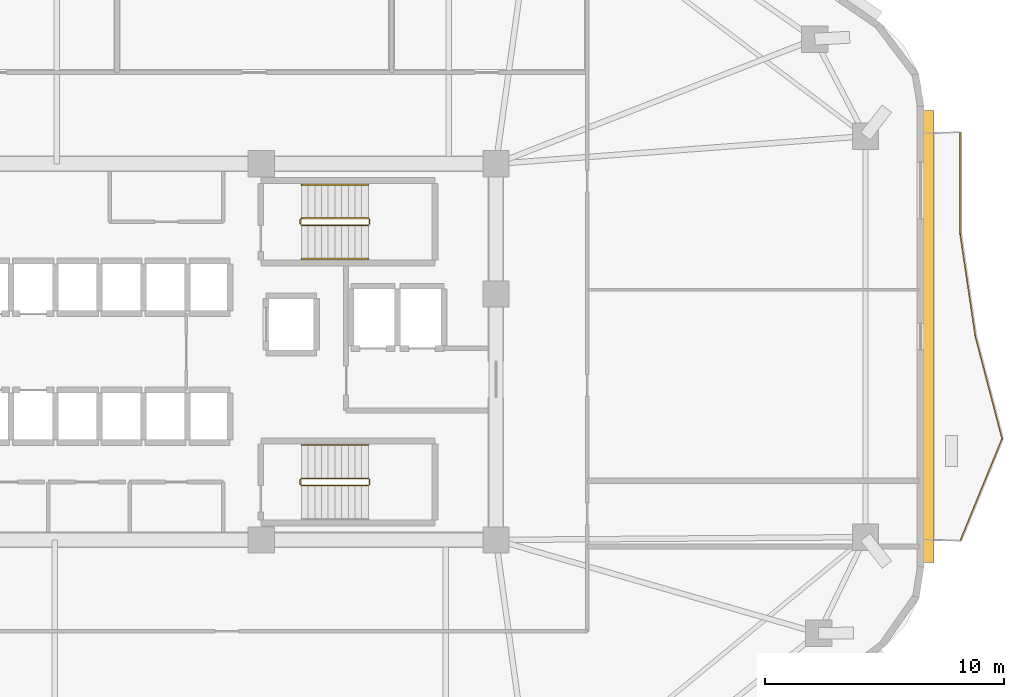
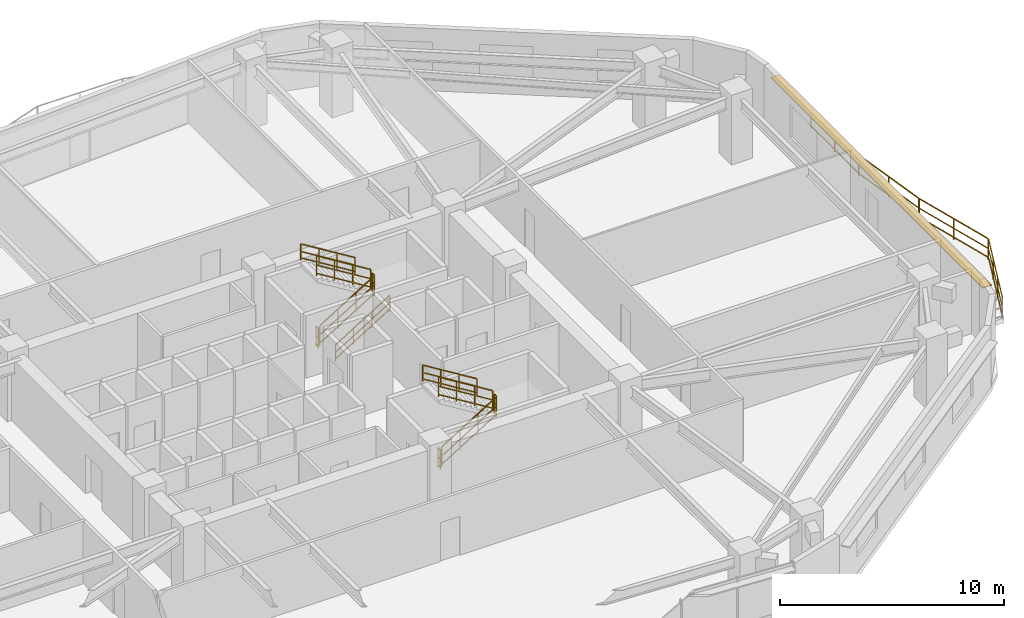
# One storey, part 11 of 12: 15 railings, 1 shading device.
"""IFC4 building model written with IfcOpenShell, lengths in metres."""

import ifcopenshell
import ifcopenshell.guid

model = None  # the IFC model being written
_history = None  # IfcOwnerHistory: only IFC2X3 demands one
_inside = {}  # id of a spatial element -> (the spatial element, [elements in it])
_under = {}  # id of a project, library or spatial element -> (it, [spatial elements below it])
_declared = {}  # id of a project -> (the project, [libraries it declares])
_typed = {}  # id of a type object -> (the type object, [elements of that type])
_made_of = {}  # id of a material, layer set ... -> (it, [elements and type objects made of it])


def new_model(schema):
    """Start an empty IFC model of exactly this schema.

    Asked for "IFC4X3", IfcOpenShell would pick the latest addendum, in which some entities
    have other attributes; the version numbers below select the first issue.
    IFC2X3 requires an IfcOwnerHistory on every rooted entity: one is made here for all.
    """
    global model, _history
    if schema == "IFC4X3":
        model = ifcopenshell.file(schema_version=(4, 3, 0, 0))
    else:
        model = ifcopenshell.file(schema=schema)
    _inside.clear()
    _under.clear()
    _declared.clear()
    _typed.clear()
    _made_of.clear()
    _history = None
    if model.schema == "IFC2X3":
        org = make("IfcOrganization", Name="unknown")
        user = make(
            "IfcPersonAndOrganization",
            ThePerson=make("IfcPerson", FamilyName="unknown"),
            TheOrganization=org,
        )
        app = make(
            "IfcApplication",
            ApplicationDeveloper=org,
            Version="unknown",
            ApplicationFullName="unknown",
            ApplicationIdentifier="unknown",
        )
        _history = make(
            "IfcOwnerHistory",
            OwningUser=user,
            OwningApplication=app,
            ChangeAction="ADDED",
            CreationDate=0,
        )
    return model


def make(cls, **values):
    """One entity of the class cls with the attributes given. An attribute that is None is left unset."""
    return model.create_entity(
        cls, **{name: value for name, value in values.items() if value is not None}
    )


def rooted(cls, **values):
    """An entity with a GlobalId (a new one), such as an element, a storey or a relation."""
    return make(cls, GlobalId=ifcopenshell.guid.new(), OwnerHistory=_history, **values)


def si_unit(unit_type, name, prefix=None):
    """IfcSIUnit, for example si_unit("LENGTHUNIT", "METRE", prefix="MILLI")."""
    return make("IfcSIUnit", UnitType=unit_type, Prefix=prefix, Name=name)


def assignment(units):
    """IfcUnitAssignment: the units of a project."""
    return None if units is None else make("IfcUnitAssignment", Units=units)


def point(xyz):
    """IfcCartesianPoint."""
    return None if xyz is None else make("IfcCartesianPoint", Coordinates=xyz)


def direction(xyz):
    """IfcDirection."""
    return None if xyz is None else make("IfcDirection", DirectionRatios=xyz)


def frame(location, z_axis=None, x_axis=None):
    """IfcAxis2Placement3D, a coordinate frame: its origin and axes. An axis left out is left unset."""
    return make(
        "IfcAxis2Placement3D",
        Location=point(location),
        Axis=direction(z_axis),
        RefDirection=direction(x_axis),
    )


def frame_2d(location, x_axis=None):
    """IfcAxis2Placement2D, a coordinate frame in the plane: its origin and x axis."""
    return make(
        "IfcAxis2Placement2D", Location=point(location), RefDirection=direction(x_axis)
    )


def origin():
    """The frame at (0, 0, 0) with its axes left unset."""
    return frame((0.0, 0.0, 0.0))


def origin_2d():
    """The frame at (0, 0) in the plane with its x axis left unset."""
    return frame_2d((0.0, 0.0))


def place(relative_to, where):
    """IfcLocalPlacement: puts the frame where relative to a parent placement (None: the world)."""
    return make(
        "IfcLocalPlacement", PlacementRelTo=relative_to, RelativePlacement=where
    )


def context(
    kind, dimensions, precision=None, world=None, true_north=None, identifier=None
):
    """IfcGeometricRepresentationContext, for example the 3D "Model" context."""
    return make(
        "IfcGeometricRepresentationContext",
        ContextIdentifier=identifier,
        ContextType=kind,
        CoordinateSpaceDimension=dimensions,
        Precision=precision,
        WorldCoordinateSystem=world,
        TrueNorth=true_north,
    )


def subcontext(parent, identifier, kind, view, scale=None):
    """IfcGeometricRepresentationSubContext, for example "Body" below "Model"."""
    return make(
        "IfcGeometricRepresentationSubContext",
        ContextIdentifier=identifier,
        ContextType=kind,
        ParentContext=parent,
        TargetScale=scale,
        TargetView=view,
    )


def project(units=None, contexts=None):
    """IfcProject with its units and contexts."""
    return rooted(
        "IfcProject",
        Name="project",
        RepresentationContexts=contexts,
        UnitsInContext=assignment(units),
    )


def spatial(cls, under=None, at=None, **own):
    """A site, building, storey or space (cls), placed at a placement, below another one or the project."""
    s = rooted(cls, ObjectPlacement=at, **own)
    if under is not None:
        _under.setdefault(under.id(), (under, []))[1].append(s)
    return s


def profile(cls, at=None, kind="AREA", **sizes):
    """A parametric profile (cls). Its sizes go by their IFC names, for example OverallWidth=200.0."""
    return make(cls, ProfileType=kind, Position=at, **sizes)


def rectangle(**sizes):
    """IfcRectangleProfileDef."""
    return profile("IfcRectangleProfileDef", **sizes)


def extrude(swept, where, along, depth):
    """IfcExtrudedAreaSolid: the profile swept, set in the frame where, extruded along a direction by depth."""
    return make(
        "IfcExtrudedAreaSolid",
        SweptArea=swept,
        Position=where,
        ExtrudedDirection=direction(along),
        Depth=depth,
    )


def shape(context_of_items, identifier, shape_type, items):
    """IfcShapeRepresentation: the items that make up one representation, for example the "Body"."""
    return make(
        "IfcShapeRepresentation",
        ContextOfItems=context_of_items,
        RepresentationIdentifier=identifier,
        RepresentationType=shape_type,
        Items=items,
    )


def material(Name=None, Category=None):
    """IfcMaterial."""
    return make("IfcMaterial", Name=Name, Category=Category)


def layer(
    of_material, thickness, ventilated=None, Name=None, Category=None, Priority=None
):
    """IfcMaterialLayer: one layer of a wall or slab, of a material (None: an air gap)."""
    return make(
        "IfcMaterialLayer",
        Material=of_material,
        LayerThickness=thickness,
        IsVentilated=ventilated,
        Name=Name,
        Category=Category,
        Priority=Priority,
    )


def layer_set(layers, Name=None):
    """IfcMaterialLayerSet."""
    return make("IfcMaterialLayerSet", MaterialLayers=layers, LayerSetName=Name)


def made_of(thing, what):
    """Note that an element or type object is made of a material, layer set ...; save() writes the relation."""
    if what is not None:
        _made_of.setdefault(what.id(), (what, []))[1].append(thing)
    return thing


def type_object(cls, material=None, **own):
    """A type object (cls), such as IfcWallType, which elements share."""
    return made_of(rooted(cls, **own), material)


def element(
    cls,
    number,
    at=None,
    inside=None,
    cuts=None,
    type_object=None,
    material=None,
    context=None,
    identifier="Body",
    shape_type=None,
    held_by="IfcProductDefinitionShape",
    body=None,
    shapes=None,
    **own,
):
    """One element of the class cls, such as IfcWall. Its Tag is "e" and its number.

    at: its placement. inside: the storey or other place that contains it. cuts: it is an
    opening in that element (IfcRelVoidsElement). A single representation is given by context,
    identifier, shape_type and body (its items); several are given by shapes. held_by: the class
    of the entity that holds the representations. save() writes the other relations.
    """
    e = rooted(cls, Tag="e%d" % number, ObjectPlacement=at, **own)
    if body is not None:
        shapes = [shape(context, identifier, shape_type, body)]
    if shapes is not None:
        e.Representation = make(held_by, Representations=shapes)
    if inside is not None:
        _inside.setdefault(inside.id(), (inside, []))[1].append(e)
    if cuts is not None:
        rooted(
            "IfcRelVoidsElement", RelatingBuildingElement=cuts, RelatedOpeningElement=e
        )
    if type_object is not None:
        _typed.setdefault(type_object.id(), (type_object, []))[1].append(e)
    return made_of(e, material)


def aggregate(whole, parts):
    """IfcRelAggregates: a whole, such as a stair, and the parts it consists of."""
    return rooted("IfcRelAggregates", RelatingObject=whole, RelatedObjects=parts)


def save(model, path):
    """Write the relations noted so far, then the file.

    IfcRelAggregates (storeys below a building ...), IfcRelContainedInSpatialStructure (elements
    in a storey), IfcRelDefinesByType, IfcRelAssociatesMaterial and IfcRelDeclares: one each for
    every whole, place, type object, material and project.
    """
    for whole, parts in _under.values():
        aggregate(whole, parts)
    for where, things in _inside.values():
        rooted(
            "IfcRelContainedInSpatialStructure",
            RelatedElements=things,
            RelatingStructure=where,
        )
    for kind, things in _typed.values():
        rooted("IfcRelDefinesByType", RelatedObjects=things, RelatingType=kind)
    for what, things in _made_of.values():
        rooted("IfcRelAssociatesMaterial", RelatedObjects=things, RelatingMaterial=what)
    for by, libraries in _declared.values():
        rooted("IfcRelDeclares", RelatingContext=by, RelatedDefinitions=libraries)
    model.write(path)


model = new_model("IFC4")

# Units and contexts
model_context = context("Model", 3, precision=1e-05, world=origin(), true_north=direction((0.0, 1.0)))
body_context = subcontext(model_context, "Body", "Model", "MODEL_VIEW")
ifc_project = project(units=[si_unit("LENGTHUNIT", "METRE"), si_unit("AREAUNIT", "SQUARE_METRE"), si_unit("VOLUMEUNIT", "CUBIC_METRE"), si_unit("PLANEANGLEUNIT", "RADIAN"), si_unit("MASSUNIT", "GRAM", prefix="KILO")], contexts=[model_context])

# Site, building, storey
site_placement = place(None, origin())
site = spatial("IfcSite", under=ifc_project, at=site_placement, CompositionType="ELEMENT")
building_placement = place(site_placement, origin())
building = spatial("IfcBuilding", under=site, at=building_placement, Name="Zulverin Broadcast Headquarters", CompositionType="ELEMENT")
storey_placement = place(building_placement, frame((0.0, 0.0, 116.199951171875)))
storey = spatial("IfcBuildingStorey", under=building, at=storey_placement, Name="L29", CompositionType="ELEMENT", Elevation=116.199951171875)

# Railings
ifc_material_1 = material(Name="Brushed stainless steel & laminated glass balustrade", Category="steel")
railing_type_1 = type_object("IfcRailingType", Name="RL-GUARD-1150", PredefinedType="GUARDRAIL", material=ifc_material_1)
railing_1_placement = place(storey_placement, frame((67.7255859375, 17.29736328125, 0.0)))
element("IfcRailing", 1, at=railing_1_placement, inside=storey, type_object=railing_type_1, Name="L29 Vertical-Forest Balcony Guardrail BAL_E Segment 02", PredefinedType="GUARDRAIL", context=body_context, shape_type="SweptSolid", body=[
    extrude(rectangle(XDim=0.048095703125, YDim=0.048095703125, at=origin_2d()), frame((0.0, 0.0, 1.1259765625), z_axis=(0.379013239476, 0.925391249311, 0.0), x_axis=(-0.925391249311, 0.379013239476, 0.0)), (0.0, 0.0, 1.0), 4.597900390625),
    extrude(rectangle(XDim=0.0419921875, YDim=0.0419921875, at=origin_2d()), frame((0.0, 0.0, 0.597900390625), z_axis=(0.379013239476, 0.925391249311, 0.0), x_axis=(-0.925391249311, 0.379013239476, 0.0)), (0.0, 0.0, 1.0), 4.597900390625),
    extrude(rectangle(XDim=0.0419921875, YDim=0.0419921875, at=origin_2d()), frame((0.0, 0.0, 0.1201171875), z_axis=(0.379013239476, 0.925391249311, 0.0), x_axis=(-0.925391249311, 0.379013239476, 0.0)), (0.0, 0.0, 1.0), 4.597900390625),
    extrude(rectangle(XDim=0.0419921875, YDim=0.0419921875, at=origin_2d()), origin(), (0.0, 0.0, 1.0), 1.101806640625),
    extrude(rectangle(XDim=0.0419921875, YDim=0.0419921875, at=origin_2d()), frame((0.580810546875, 1.418212890625, 0.0)), (0.0, 0.0, 1.0), 1.101806640625),
    extrude(rectangle(XDim=0.0419921875, YDim=0.0419921875, at=origin_2d()), frame((1.161865234375, 2.836669921875, 0.0)), (0.0, 0.0, 1.0), 1.101806640625),
    extrude(rectangle(XDim=0.0419921875, YDim=0.0419921875, at=origin_2d()), frame((1.74267578125, 4.2548828125, 0.0)), (0.0, 0.0, 1.0), 1.101806640625),
])
railing_2_placement = place(storey_placement, frame((69.47021484375, 21.580810546875, 0.0)))
element("IfcRailing", 2, at=railing_2_placement, inside=storey, type_object=railing_type_1, Name="L29 Vertical-Forest Balcony Guardrail BAL_E Segment 03", PredefinedType="GUARDRAIL", context=body_context, shape_type="SweptSolid", body=[
    extrude(rectangle(XDim=0.048095703125, YDim=0.048095703125, at=origin_2d()), frame((0.0, 0.0, 1.1259765625), z_axis=(-0.252623091007, 0.9675647647, 0.0), x_axis=(-0.9675647647, -0.252623091007, 0.0)), (0.0, 0.0, 1.0), 4.396240234375),
    extrude(rectangle(XDim=0.0419921875, YDim=0.0419921875, at=origin_2d()), frame((0.0, 0.0, 0.597900390625), z_axis=(-0.252623091007, 0.9675647647, 0.0), x_axis=(-0.9675647647, -0.252623091007, 0.0)), (0.0, 0.0, 1.0), 4.396240234375),
    extrude(rectangle(XDim=0.0419921875, YDim=0.0419921875, at=origin_2d()), frame((0.0, 0.0, 0.1201171875), z_axis=(-0.252623091007, 0.9675647647, 0.0), x_axis=(-0.9675647647, -0.252623091007, 0.0)), (0.0, 0.0, 1.0), 4.396240234375),
    extrude(rectangle(XDim=0.0419921875, YDim=0.0419921875, at=origin_2d()), origin(), (0.0, 0.0, 1.0), 1.101806640625),
    extrude(rectangle(XDim=0.0419921875, YDim=0.0419921875, at=origin_2d()), frame((-0.55517578125, 2.126953125, 0.0)), (0.0, 0.0, 1.0), 1.101806640625),
    extrude(rectangle(XDim=0.0419921875, YDim=0.0419921875, at=origin_2d()), frame((-1.110595703125, 4.253662109375, 0.0)), (0.0, 0.0, 1.0), 1.101806640625),
])
railing_3_placement = place(storey_placement, frame((68.353515625, 25.86376953125, 0.0)))
element("IfcRailing", 3, at=railing_3_placement, inside=storey, type_object=railing_type_1, Name="L29 Vertical-Forest Balcony Guardrail BAL_E Segment 04", PredefinedType="GUARDRAIL", context=body_context, shape_type="SweptSolid", body=[
    extrude(rectangle(XDim=0.048095703125, YDim=0.048095703125, at=origin_2d()), frame((0.0, 0.0, 1.1259765625), z_axis=(-0.146832630396, 0.989161351171, 0.0), x_axis=(-0.989161351171, -0.146832630396, 0.0)), (0.0, 0.0, 1.0), 4.2998046875),
    extrude(rectangle(XDim=0.0419921875, YDim=0.0419921875, at=origin_2d()), frame((0.0, 0.0, 0.597900390625), z_axis=(-0.146832630396, 0.989161351171, 0.0), x_axis=(-0.989161351171, -0.146832630396, 0.0)), (0.0, 0.0, 1.0), 4.2998046875),
    extrude(rectangle(XDim=0.0419921875, YDim=0.0419921875, at=origin_2d()), frame((0.0, 0.0, 0.1201171875), z_axis=(-0.146832630396, 0.989161351171, 0.0), x_axis=(-0.989161351171, -0.146832630396, 0.0)), (0.0, 0.0, 1.0), 4.2998046875),
    extrude(rectangle(XDim=0.0419921875, YDim=0.0419921875, at=origin_2d()), origin(), (0.0, 0.0, 1.0), 1.101806640625),
    extrude(rectangle(XDim=0.0419921875, YDim=0.0419921875, at=origin_2d()), frame((-0.315673828125, 2.12646484375, 0.0)), (0.0, 0.0, 1.0), 1.101806640625),
    extrude(rectangle(XDim=0.0419921875, YDim=0.0419921875, at=origin_2d()), frame((-0.63134765625, 4.253173828125, 0.0)), (0.0, 0.0, 1.0), 1.101806640625),
])
railing_4_placement = place(storey_placement, frame((67.719970703125, 30.146728515625, 0.0)))
element("IfcRailing", 4, at=railing_4_placement, inside=storey, type_object=railing_type_1, Name="L29 Vertical-Forest Balcony Guardrail BAL_E Segment 05", PredefinedType="GUARDRAIL", context=body_context, shape_type="SweptSolid", body=[
    extrude(rectangle(XDim=0.048095703125, YDim=0.048095703125, at=origin_2d()), frame((0.0, 0.0, 1.1259765625), z_axis=(0.0, 1.0, 0.0), x_axis=(-1.0, 0.0, 0.0)), (0.0, 0.0, 1.0), 4.252685546875),
    extrude(rectangle(XDim=0.0419921875, YDim=0.0419921875, at=origin_2d()), frame((0.0, 0.0, 0.597900390625), z_axis=(0.0, 1.0, 0.0), x_axis=(-1.0, 0.0, 0.0)), (0.0, 0.0, 1.0), 4.252685546875),
    extrude(rectangle(XDim=0.0419921875, YDim=0.0419921875, at=origin_2d()), frame((0.0, 0.0, 0.1201171875), z_axis=(0.0, 1.0, 0.0), x_axis=(-1.0, 0.0, 0.0)), (0.0, 0.0, 1.0), 4.252685546875),
    extrude(rectangle(XDim=0.0419921875, YDim=0.0419921875, at=origin_2d()), origin(), (0.0, 0.0, 1.0), 1.101806640625),
    extrude(rectangle(XDim=0.0419921875, YDim=0.0419921875, at=origin_2d()), frame((0.0, 2.12646484375, 0.0)), (0.0, 0.0, 1.0), 1.101806640625),
    extrude(rectangle(XDim=0.0419921875, YDim=0.0419921875, at=origin_2d()), frame((0.0, 4.252685546875, 0.0)), (0.0, 0.0, 1.0), 1.101806640625),
])
ifc_material_2 = material(Name="Painted galvanized steel tubular guardrail S355JR", Category="steel")
railing_type_2 = type_object("IfcRailingType", Name="RL-ST-GUARD", PredefinedType="GUARDRAIL", material=ifc_material_2)
railing_5_placement = place(storey_placement, frame((40.1298828125, 30.5, 0.1728515625)))
element("IfcRailing", 5, at=railing_5_placement, inside=storey, type_object=railing_type_2, Name="L29 ST-1 stair guard 1", PredefinedType="GUARDRAIL", context=body_context, shape_type="SweptSolid", body=[
    extrude(rectangle(XDim=0.048095703125, YDim=0.048095703125, at=origin_2d()), frame((0.0, 0.0, 1.076171875), z_axis=(0.851089632645, 0.0, 0.525020415988), x_axis=(0.0, 1.0, 0.0)), (0.0, 0.0, 1.0), 3.2900390625),
    extrude(rectangle(XDim=0.0419921875, YDim=0.0419921875, at=origin_2d()), frame((0.0, 0.0, 0.572021484375), z_axis=(0.851089632645, 0.0, 0.525020415988), x_axis=(0.0, 1.0, 0.0)), (0.0, 0.0, 1.0), 3.2900390625),
    extrude(rectangle(XDim=0.0419921875, YDim=0.0419921875, at=origin_2d()), frame((0.0, 0.0, 0.1201171875), z_axis=(0.851089632645, 0.0, 0.525020415988), x_axis=(0.0, 1.0, 0.0)), (0.0, 0.0, 1.0), 3.2900390625),
    extrude(rectangle(XDim=0.0419921875, YDim=0.0419921875, at=origin_2d()), origin(), (0.0, 0.0, 1.0), 1.052001953125),
    extrude(rectangle(XDim=0.0419921875, YDim=0.0419921875, at=origin_2d()), frame((0.933349609375, 0.0, 0.57568359375)), (0.0, 0.0, 1.0), 1.052001953125),
    extrude(rectangle(XDim=0.0419921875, YDim=0.0419921875, at=origin_2d()), frame((1.86669921875, 0.0, 1.151611328125)), (0.0, 0.0, 1.0), 1.052001953125),
    extrude(rectangle(XDim=0.0419921875, YDim=0.0419921875, at=origin_2d()), frame((2.800048828125, 0.0, 1.727294921875)), (0.0, 0.0, 1.0), 1.052001953125),
])
railing_6_placement = place(storey_placement, frame((42.97998046875, 30.550048828125, 1.900146484375)))
element("IfcRailing", 6, at=railing_6_placement, inside=storey, type_object=railing_type_2, Name="L29 ST-1 stair guard 2", PredefinedType="GUARDRAIL", context=body_context, shape_type="SweptSolid", body=[
    extrude(rectangle(XDim=0.048095703125, YDim=0.048095703125, at=origin_2d()), frame((0.0, 0.0, 1.076171875), z_axis=(0.0, 1.0, 0.0), x_axis=(-1.0, 0.0, 0.0)), (0.0, 0.0, 1.0), 0.199951171875),
    extrude(rectangle(XDim=0.0419921875, YDim=0.0419921875, at=origin_2d()), frame((0.0, 0.0, 0.572021484375), z_axis=(0.0, 1.0, 0.0), x_axis=(-1.0, 0.0, 0.0)), (0.0, 0.0, 1.0), 0.199951171875),
    extrude(rectangle(XDim=0.0419921875, YDim=0.0419921875, at=origin_2d()), frame((0.0, 0.0, 0.1201171875), z_axis=(0.0, 1.0, 0.0), x_axis=(-1.0, 0.0, 0.0)), (0.0, 0.0, 1.0), 0.199951171875),
    extrude(rectangle(XDim=0.0419921875, YDim=0.0419921875, at=origin_2d()), origin(), (0.0, 0.0, 1.0), 1.052001953125),
    extrude(rectangle(XDim=0.0419921875, YDim=0.0419921875, at=origin_2d()), frame((0.0, 0.199951171875, 0.0)), (0.0, 0.0, 1.0), 1.052001953125),
])
railing_7_placement = place(storey_placement, frame((42.929931640625, 30.800048828125, 2.07275390625)))
element("IfcRailing", 7, at=railing_7_placement, inside=storey, type_object=railing_type_2, Name="L29 ST-1 stair guard 3", PredefinedType="GUARDRAIL", context=body_context, shape_type="SweptSolid", body=[
    extrude(rectangle(XDim=0.048095703125, YDim=0.048095703125, at=origin_2d()), frame((0.0, 0.0, 1.076171875), z_axis=(-0.851089632645, 0.0, 0.525020415988), x_axis=(0.0, -1.0, 0.0)), (0.0, 0.0, 1.0), 3.2900390625),
    extrude(rectangle(XDim=0.0419921875, YDim=0.0419921875, at=origin_2d()), frame((0.0, 0.0, 0.572021484375), z_axis=(-0.851089632645, 0.0, 0.525020415988), x_axis=(0.0, -1.0, 0.0)), (0.0, 0.0, 1.0), 3.2900390625),
    extrude(rectangle(XDim=0.0419921875, YDim=0.0419921875, at=origin_2d()), frame((0.0, 0.0, 0.1201171875), z_axis=(-0.851089632645, 0.0, 0.525020415988), x_axis=(0.0, -1.0, 0.0)), (0.0, 0.0, 1.0), 3.2900390625),
    extrude(rectangle(XDim=0.0419921875, YDim=0.0419921875, at=origin_2d()), origin(), (0.0, 0.0, 1.0), 1.052001953125),
    extrude(rectangle(XDim=0.0419921875, YDim=0.0419921875, at=origin_2d()), frame((-0.933349609375, 0.0, 0.57568359375)), (0.0, 0.0, 1.0), 1.052001953125),
    extrude(rectangle(XDim=0.0419921875, YDim=0.0419921875, at=origin_2d()), frame((-1.86669921875, 0.0, 1.151611328125)), (0.0, 0.0, 1.0), 1.052001953125),
    extrude(rectangle(XDim=0.0419921875, YDim=0.0419921875, at=origin_2d()), frame((-2.800048828125, 0.0, 1.727294921875)), (0.0, 0.0, 1.0), 1.052001953125),
])
railing_8_placement = place(storey_placement, frame((40.080078125, 30.550048828125, 0.0)))
element("IfcRailing", 8, at=railing_8_placement, inside=storey, type_object=railing_type_2, Name="L29 ST-1 stair guard 4", PredefinedType="GUARDRAIL", context=body_context, shape_type="SweptSolid", body=[
    extrude(rectangle(XDim=0.048095703125, YDim=0.048095703125, at=origin_2d()), frame((0.0, 0.0, 1.076171875), z_axis=(0.0, 1.0, 0.0), x_axis=(-1.0, 0.0, 0.0)), (0.0, 0.0, 1.0), 0.199951171875),
    extrude(rectangle(XDim=0.0419921875, YDim=0.0419921875, at=origin_2d()), frame((0.0, 0.0, 0.572021484375), z_axis=(0.0, 1.0, 0.0), x_axis=(-1.0, 0.0, 0.0)), (0.0, 0.0, 1.0), 0.199951171875),
    extrude(rectangle(XDim=0.0419921875, YDim=0.0419921875, at=origin_2d()), frame((0.0, 0.0, 0.1201171875), z_axis=(0.0, 1.0, 0.0), x_axis=(-1.0, 0.0, 0.0)), (0.0, 0.0, 1.0), 0.199951171875),
    extrude(rectangle(XDim=0.0419921875, YDim=0.0419921875, at=origin_2d()), origin(), (0.0, 0.0, 1.0), 1.052001953125),
    extrude(rectangle(XDim=0.0419921875, YDim=0.0419921875, at=origin_2d()), frame((0.0, 0.199951171875, 0.0)), (0.0, 0.0, 1.0), 1.052001953125),
])
railing_9_placement = place(storey_placement, frame((40.1298828125, 19.60009765625, 0.1728515625)))
element("IfcRailing", 9, at=railing_9_placement, inside=storey, type_object=railing_type_2, Name="L29 ST-2 stair guard 1", PredefinedType="GUARDRAIL", context=body_context, shape_type="SweptSolid", body=[
    extrude(rectangle(XDim=0.048095703125, YDim=0.048095703125, at=origin_2d()), frame((0.0, 0.0, 1.076171875), z_axis=(0.851089632645, 0.0, 0.525020415988), x_axis=(0.0, 1.0, 0.0)), (0.0, 0.0, 1.0), 3.2900390625),
    extrude(rectangle(XDim=0.0419921875, YDim=0.0419921875, at=origin_2d()), frame((0.0, 0.0, 0.572021484375), z_axis=(0.851089632645, 0.0, 0.525020415988), x_axis=(0.0, 1.0, 0.0)), (0.0, 0.0, 1.0), 3.2900390625),
    extrude(rectangle(XDim=0.0419921875, YDim=0.0419921875, at=origin_2d()), frame((0.0, 0.0, 0.1201171875), z_axis=(0.851089632645, 0.0, 0.525020415988), x_axis=(0.0, 1.0, 0.0)), (0.0, 0.0, 1.0), 3.2900390625),
    extrude(rectangle(XDim=0.0419921875, YDim=0.0419921875, at=origin_2d()), origin(), (0.0, 0.0, 1.0), 1.052001953125),
    extrude(rectangle(XDim=0.0419921875, YDim=0.0419921875, at=origin_2d()), frame((0.933349609375, 0.0, 0.57568359375)), (0.0, 0.0, 1.0), 1.052001953125),
    extrude(rectangle(XDim=0.0419921875, YDim=0.0419921875, at=origin_2d()), frame((1.86669921875, 0.0, 1.151611328125)), (0.0, 0.0, 1.0), 1.052001953125),
    extrude(rectangle(XDim=0.0419921875, YDim=0.0419921875, at=origin_2d()), frame((2.800048828125, 0.0, 1.727294921875)), (0.0, 0.0, 1.0), 1.052001953125),
])
railing_10_placement = place(storey_placement, frame((42.97998046875, 19.64990234375, 1.900146484375)))
element("IfcRailing", 10, at=railing_10_placement, inside=storey, type_object=railing_type_2, Name="L29 ST-2 stair guard 2", PredefinedType="GUARDRAIL", context=body_context, shape_type="SweptSolid", body=[
    extrude(rectangle(XDim=0.048095703125, YDim=0.048095703125, at=origin_2d()), frame((0.0, 0.0, 1.076171875), z_axis=(0.0, 1.0, 0.0), x_axis=(-1.0, 0.0, 0.0)), (0.0, 0.0, 1.0), 0.2001953125),
    extrude(rectangle(XDim=0.0419921875, YDim=0.0419921875, at=origin_2d()), frame((0.0, 0.0, 0.572021484375), z_axis=(0.0, 1.0, 0.0), x_axis=(-1.0, 0.0, 0.0)), (0.0, 0.0, 1.0), 0.2001953125),
    extrude(rectangle(XDim=0.0419921875, YDim=0.0419921875, at=origin_2d()), frame((0.0, 0.0, 0.1201171875), z_axis=(0.0, 1.0, 0.0), x_axis=(-1.0, 0.0, 0.0)), (0.0, 0.0, 1.0), 0.2001953125),
    extrude(rectangle(XDim=0.0419921875, YDim=0.0419921875, at=origin_2d()), origin(), (0.0, 0.0, 1.0), 1.052001953125),
    extrude(rectangle(XDim=0.0419921875, YDim=0.0419921875, at=origin_2d()), frame((0.0, 0.2001953125, 0.0)), (0.0, 0.0, 1.0), 1.052001953125),
])
railing_11_placement = place(storey_placement, frame((42.929931640625, 19.89990234375, 2.07275390625)))
element("IfcRailing", 11, at=railing_11_placement, inside=storey, type_object=railing_type_2, Name="L29 ST-2 stair guard 3", PredefinedType="GUARDRAIL", context=body_context, shape_type="SweptSolid", body=[
    extrude(rectangle(XDim=0.048095703125, YDim=0.048095703125, at=origin_2d()), frame((0.0, 0.0, 1.076171875), z_axis=(-0.851089632645, 0.0, 0.525020415988), x_axis=(0.0, -1.0, 0.0)), (0.0, 0.0, 1.0), 3.2900390625),
    extrude(rectangle(XDim=0.0419921875, YDim=0.0419921875, at=origin_2d()), frame((0.0, 0.0, 0.572021484375), z_axis=(-0.851089632645, 0.0, 0.525020415988), x_axis=(0.0, -1.0, 0.0)), (0.0, 0.0, 1.0), 3.2900390625),
    extrude(rectangle(XDim=0.0419921875, YDim=0.0419921875, at=origin_2d()), frame((0.0, 0.0, 0.1201171875), z_axis=(-0.851089632645, 0.0, 0.525020415988), x_axis=(0.0, -1.0, 0.0)), (0.0, 0.0, 1.0), 3.2900390625),
    extrude(rectangle(XDim=0.0419921875, YDim=0.0419921875, at=origin_2d()), origin(), (0.0, 0.0, 1.0), 1.052001953125),
    extrude(rectangle(XDim=0.0419921875, YDim=0.0419921875, at=origin_2d()), frame((-0.933349609375, 0.0, 0.57568359375)), (0.0, 0.0, 1.0), 1.052001953125),
    extrude(rectangle(XDim=0.0419921875, YDim=0.0419921875, at=origin_2d()), frame((-1.86669921875, 0.0, 1.151611328125)), (0.0, 0.0, 1.0), 1.052001953125),
    extrude(rectangle(XDim=0.0419921875, YDim=0.0419921875, at=origin_2d()), frame((-2.800048828125, 0.0, 1.727294921875)), (0.0, 0.0, 1.0), 1.052001953125),
])
railing_12_placement = place(storey_placement, frame((40.080078125, 19.64990234375, 0.0)))
element("IfcRailing", 12, at=railing_12_placement, inside=storey, type_object=railing_type_2, Name="L29 ST-2 stair guard 4", PredefinedType="GUARDRAIL", context=body_context, shape_type="SweptSolid", body=[
    extrude(rectangle(XDim=0.048095703125, YDim=0.048095703125, at=origin_2d()), frame((0.0, 0.0, 1.076171875), z_axis=(0.0, 1.0, 0.0), x_axis=(-1.0, 0.0, 0.0)), (0.0, 0.0, 1.0), 0.2001953125),
    extrude(rectangle(XDim=0.0419921875, YDim=0.0419921875, at=origin_2d()), frame((0.0, 0.0, 0.572021484375), z_axis=(0.0, 1.0, 0.0), x_axis=(-1.0, 0.0, 0.0)), (0.0, 0.0, 1.0), 0.2001953125),
    extrude(rectangle(XDim=0.0419921875, YDim=0.0419921875, at=origin_2d()), frame((0.0, 0.0, 0.1201171875), z_axis=(0.0, 1.0, 0.0), x_axis=(-1.0, 0.0, 0.0)), (0.0, 0.0, 1.0), 0.2001953125),
    extrude(rectangle(XDim=0.0419921875, YDim=0.0419921875, at=origin_2d()), origin(), (0.0, 0.0, 1.0), 1.052001953125),
    extrude(rectangle(XDim=0.0419921875, YDim=0.0419921875, at=origin_2d()), frame((0.0, 0.2001953125, 0.0)), (0.0, 0.0, 1.0), 1.052001953125),
])
ifc_material_3 = material(Name="Brushed stainless steel 48 mm handrail", Category="steel")
railing_type_3 = type_object("IfcRailingType", Name="RL-ST-HAND", PredefinedType="HANDRAIL", material=ifc_material_3)
railing_13_placement = place(storey_placement, frame((40.1298828125, 29.10009765625, 0.1728515625)))
element("IfcRailing", 13, at=railing_13_placement, inside=storey, type_object=railing_type_3, Name="L29 ST-1 stair handrail 1", PredefinedType="HANDRAIL", context=body_context, shape_type="SweptSolid", body=[
    extrude(rectangle(XDim=0.048095703125, YDim=0.048095703125, at=origin_2d()), frame((0.0, 0.0, 0.8759765625), z_axis=(0.851089632645, 0.0, 0.525020415988), x_axis=(0.0, 1.0, 0.0)), (0.0, 0.0, 1.0), 3.2900390625),
    extrude(rectangle(XDim=0.0419921875, YDim=0.0419921875, at=origin_2d()), frame((0.0, 0.0, 0.468017578125), z_axis=(0.851089632645, 0.0, 0.525020415988), x_axis=(0.0, 1.0, 0.0)), (0.0, 0.0, 1.0), 3.2900390625),
    extrude(rectangle(XDim=0.0419921875, YDim=0.0419921875, at=origin_2d()), frame((0.0, 0.0, 0.1201171875), z_axis=(0.851089632645, 0.0, 0.525020415988), x_axis=(0.0, 1.0, 0.0)), (0.0, 0.0, 1.0), 3.2900390625),
    extrude(rectangle(XDim=0.0419921875, YDim=0.0419921875, at=origin_2d()), origin(), (0.0, 0.0, 1.0), 0.851806640625),
    extrude(rectangle(XDim=0.0419921875, YDim=0.0419921875, at=origin_2d()), frame((0.933349609375, 0.0, 0.57568359375)), (0.0, 0.0, 1.0), 0.851806640625),
    extrude(rectangle(XDim=0.0419921875, YDim=0.0419921875, at=origin_2d()), frame((1.86669921875, 0.0, 1.151611328125)), (0.0, 0.0, 1.0), 0.851806640625),
    extrude(rectangle(XDim=0.0419921875, YDim=0.0419921875, at=origin_2d()), frame((2.800048828125, 0.0, 1.727294921875)), (0.0, 0.0, 1.0), 0.851806640625),
])
for number, where, name in (
    (14, (42.929931640625, 32.199951171875, 2.07275390625), "L29 ST-1 stair handrail 2"),
    (15, (42.929931640625, 21.300048828125, 2.07275390625), "L29 ST-2 stair handrail 2"),
):
    element("IfcRailing", number, at=place(storey_placement, frame(where)), inside=storey, type_object=railing_type_3, Name=name, PredefinedType="HANDRAIL", context=body_context, shape_type="SweptSolid", body=[
        extrude(rectangle(XDim=0.048095703125, YDim=0.048095703125, at=origin_2d()), frame((0.0, 0.0, 0.8759765625), z_axis=(-0.851089632645, 0.0, 0.525020415988), x_axis=(0.0, -1.0, 0.0)), (0.0, 0.0, 1.0), 3.2900390625),
        extrude(rectangle(XDim=0.0419921875, YDim=0.0419921875, at=origin_2d()), frame((0.0, 0.0, 0.468017578125), z_axis=(-0.851089632645, 0.0, 0.525020415988), x_axis=(0.0, -1.0, 0.0)), (0.0, 0.0, 1.0), 3.2900390625),
        extrude(rectangle(XDim=0.0419921875, YDim=0.0419921875, at=origin_2d()), frame((0.0, 0.0, 0.1201171875), z_axis=(-0.851089632645, 0.0, 0.525020415988), x_axis=(0.0, -1.0, 0.0)), (0.0, 0.0, 1.0), 3.2900390625),
        extrude(rectangle(XDim=0.0419921875, YDim=0.0419921875, at=origin_2d()), origin(), (0.0, 0.0, 1.0), 0.851806640625),
        extrude(rectangle(XDim=0.0419921875, YDim=0.0419921875, at=origin_2d()), frame((-0.933349609375, 0.0, 0.57568359375)), (0.0, 0.0, 1.0), 0.851806640625),
        extrude(rectangle(XDim=0.0419921875, YDim=0.0419921875, at=origin_2d()), frame((-1.86669921875, 0.0, 1.151611328125)), (0.0, 0.0, 1.0), 0.851806640625),
        extrude(rectangle(XDim=0.0419921875, YDim=0.0419921875, at=origin_2d()), frame((-2.800048828125, 0.0, 1.727294921875)), (0.0, 0.0, 1.0), 0.851806640625),
    ])

# Shading device
ifc_material_4 = material(Name="Anodized pale-metal aluminium sunshade", Category="aluminium")
ifc_layer = layer(ifc_material_4, 0.06005859375, Name="Anodized pale-metal aluminium sunshade", Category="aluminium")
ifc_layer_set = layer_set([ifc_layer], Name="Anodized pale-metal aluminium sunshade")
shading_device_type = type_object("IfcShadingDeviceType", Name="SS-01_PALE_METAL_ALUMINIUM_SUNSHADE", PredefinedType="USERDEFINED", material=ifc_layer_set)
shading_device_placement = place(storey_placement, frame((66.39990234375, 25.848876953125, 2.7099609375), z_axis=(0.0, 0.0, 1.0), x_axis=(0.0, 1.0, 0.0)))
element("IfcShadingDevice", 16, at=shading_device_placement, inside=storey, type_object=shading_device_type, Name="L29 Horizontal Pale-Metal Sunshade Band 3", ObjectType="SUNSHADE", PredefinedType="USERDEFINED", context=body_context, shape_type="SweptSolid", body=[
    extrude(rectangle(XDim=18.93115234375, YDim=0.449951171875, at=origin_2d()), origin(), (0.0, 0.0, 1.0), 0.06005859375),
])

save(model, "model.ifc")
